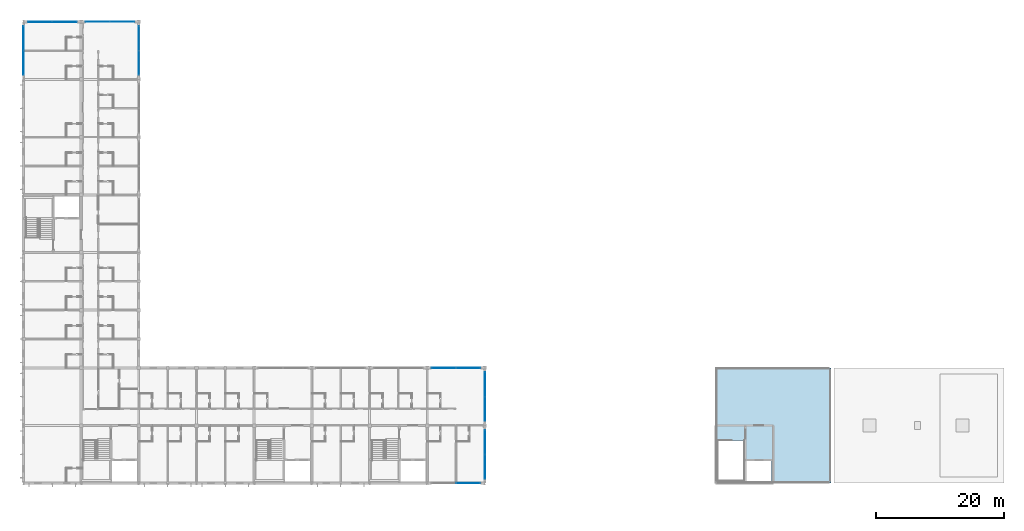
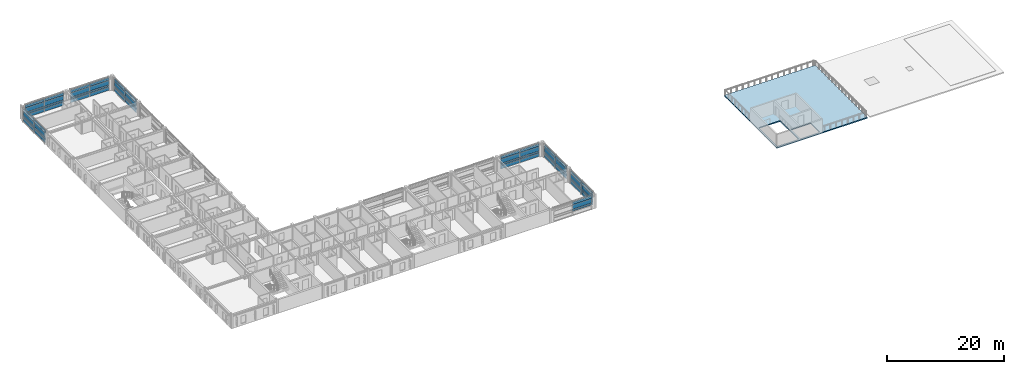
# One storey, part 12 of 30: 59 plates, 1 slab, 8 elements without a shape of their own.
"""IFC4 building model written with IfcOpenShell, lengths in metres."""

from ifc_helpers import new_model, si_unit, direction, frame, origin, origin_2d, place, context, subcontext, project, spatial, polyline, rectangle, outline, extrude, material, layer, layer_set, type_object, element, aggregate, save


model = new_model("IFC4")

# Units and contexts
model_context = context("Model", 3, precision=1e-05, world=origin(), true_north=direction((0.0, 1.0)))
body_context = subcontext(model_context, "Body", "Model", "MODEL_VIEW")
ifc_project = project(units=[si_unit("LENGTHUNIT", "METRE"), si_unit("AREAUNIT", "SQUARE_METRE"), si_unit("VOLUMEUNIT", "CUBIC_METRE"), si_unit("PLANEANGLEUNIT", "RADIAN"), si_unit("MASSUNIT", "GRAM", prefix="KILO")], contexts=[model_context])

# Site, building, storey
site_placement = place(None, origin())
site = spatial("IfcSite", under=ifc_project, at=site_placement, CompositionType="ELEMENT")
building_placement = place(site_placement, origin())
building = spatial("IfcBuilding", under=site, at=building_placement, Name="Palais des Congres Ocreval", CompositionType="ELEMENT")
storey_placement = place(building_placement, frame((0.0, 0.0, 14.56005859375)))
storey = spatial("IfcBuildingStorey", under=building, at=storey_placement, Name="L04", CompositionType="ELEMENT", Elevation=14.56005859375)

# Curtain wall, plates
ifc_material_1 = material(Name="Anodized bronze aluminium and low-E glass", Category="glass")
curtain_wall_type = type_object("IfcCurtainWallType", Name="Unitised Curtain Wall 7900x2820", PredefinedType="USERDEFINED", material=ifc_material_1)
curtain_wall_1_placement = place(storey_placement, origin())
curtain_wall_1 = element("IfcCurtainWall", 1, at=curtain_wall_1_placement, inside=storey, type_object=curtain_wall_type, Name="Unitised Curtain Wall CW04 L04", ObjectType="UNITISED CURTAIN WALL", PredefinedType="USERDEFINED")
ifc_material_2 = material(Name="Acoustic triple glazing", Category="glass")
ifc_layer_1 = layer(ifc_material_2, 0.0439453125)
ifc_layer_set_1 = layer_set([ifc_layer_1], Name="Acoustic Laminated Glazing Panel 44 (Acoustic triple glazing)")
plate_type_1 = type_object("IfcPlateType", Name="Acoustic Laminated Glazing Panel 44", PredefinedType="CURTAIN_PANEL", material=ifc_layer_set_1)
plate_1_placement = place(storey_placement, frame((72.0, 6.407470703125, 0.06005859375), z_axis=(0.0, 0.0, 1.0), x_axis=(0.0, -1.0, 0.0)))
plate_1 = element("IfcPlate", 2, at=plate_1_placement, type_object=plate_type_1, Name="Vision Glazing Panel VP02", PredefinedType="CURTAIN_PANEL", context=body_context, shape_type="SweptSolid", body=[
    extrude(rectangle(XDim=3.7451171875, YDim=0.0439453125, at=origin_2d()), origin(), (0.0, 0.0, 1.0), 0.68994140625),
])
plate_2_placement = place(storey_placement, frame((72.0, 6.407470703125, 0.809814453125), z_axis=(0.0, 0.0, 1.0), x_axis=(0.0, -1.0, 0.0)))
plate_2 = element("IfcPlate", 3, at=plate_2_placement, type_object=plate_type_1, Name="Vision Glazing Panel VP02", PredefinedType="CURTAIN_PANEL", context=body_context, shape_type="SweptSolid", body=[
    extrude(rectangle(XDim=3.7451171875, YDim=0.0439453125, at=origin_2d()), origin(), (0.0, 0.0, 1.0), 0.353515625),
])
plate_3_placement = place(storey_placement, frame((72.0, 6.407470703125, 1.223388671875), z_axis=(0.0, 0.0, 1.0), x_axis=(0.0, -1.0, 0.0)))
plate_3 = element("IfcPlate", 4, at=plate_3_placement, type_object=plate_type_1, Name="Vision Glazing Panel VP02", PredefinedType="CURTAIN_PANEL", context=body_context, shape_type="SweptSolid", body=[
    extrude(rectangle(XDim=3.7451171875, YDim=0.0439453125, at=origin_2d()), origin(), (0.0, 0.0, 1.0), 0.91650390625),
])
plate_4_placement = place(storey_placement, frame((72.0, 2.592529296875, 0.06005859375), z_axis=(0.0, 0.0, 1.0), x_axis=(0.0, -1.0, 0.0)))
plate_4 = element("IfcPlate", 5, at=plate_4_placement, type_object=plate_type_1, Name="Vision Glazing Panel VP02", PredefinedType="CURTAIN_PANEL", context=body_context, shape_type="SweptSolid", body=[
    extrude(rectangle(XDim=3.7451171875, YDim=0.0439453125, at=origin_2d()), origin(), (0.0, 0.0, 1.0), 0.68994140625),
])
plate_5_placement = place(storey_placement, frame((72.0, 2.592529296875, 0.809814453125), z_axis=(0.0, 0.0, 1.0), x_axis=(0.0, -1.0, 0.0)))
plate_5 = element("IfcPlate", 6, at=plate_5_placement, type_object=plate_type_1, Name="Vision Glazing Panel VP02", PredefinedType="CURTAIN_PANEL", context=body_context, shape_type="SweptSolid", body=[
    extrude(rectangle(XDim=3.7451171875, YDim=0.0439453125, at=origin_2d()), origin(), (0.0, 0.0, 1.0), 0.353515625),
])
plate_6_placement = place(storey_placement, frame((72.0, 2.592529296875, 1.223388671875), z_axis=(0.0, 0.0, 1.0), x_axis=(0.0, -1.0, 0.0)))
plate_6 = element("IfcPlate", 7, at=plate_6_placement, type_object=plate_type_1, Name="Vision Glazing Panel VP02", PredefinedType="CURTAIN_PANEL", context=body_context, shape_type="SweptSolid", body=[
    extrude(rectangle(XDim=3.7451171875, YDim=0.0439453125, at=origin_2d()), origin(), (0.0, 0.0, 1.0), 0.91650390625),
])

curtain_wall_2_placement = place(storey_placement, origin())
curtain_wall_2 = element("IfcCurtainWall", 8, at=curtain_wall_2_placement, inside=storey, type_object=curtain_wall_type, Name="Unitised Curtain Wall CW04 L04", ObjectType="UNITISED CURTAIN WALL", PredefinedType="USERDEFINED")
plate_7_placement = place(storey_placement, frame((2.59130859375, 72.0, 0.06005859375), z_axis=(0.0, 0.0, 1.0), x_axis=(1.0, 0.0, 0.0)))
plate_7 = element("IfcPlate", 9, at=plate_7_placement, type_object=plate_type_1, Name="Vision Glazing Panel VP02", PredefinedType="CURTAIN_PANEL", context=body_context, shape_type="SweptSolid", body=[
    extrude(rectangle(XDim=3.75244140625, YDim=0.0439453125, at=origin_2d()), origin(), (0.0, 0.0, 1.0), 0.68994140625),
])
plate_8_placement = place(storey_placement, frame((2.59130859375, 72.0, 0.809814453125), z_axis=(0.0, 0.0, 1.0), x_axis=(1.0, 0.0, 0.0)))
plate_8 = element("IfcPlate", 10, at=plate_8_placement, type_object=plate_type_1, Name="Vision Glazing Panel VP02", PredefinedType="CURTAIN_PANEL", context=body_context, shape_type="SweptSolid", body=[
    extrude(rectangle(XDim=3.75244140625, YDim=0.0439453125, at=origin_2d()), origin(), (0.0, 0.0, 1.0), 0.353515625),
])
plate_9_placement = place(storey_placement, frame((2.59130859375, 72.0, 1.223388671875), z_axis=(0.0, 0.0, 1.0), x_axis=(1.0, 0.0, 0.0)))
plate_9 = element("IfcPlate", 11, at=plate_9_placement, type_object=plate_type_1, Name="Vision Glazing Panel VP02", PredefinedType="CURTAIN_PANEL", context=body_context, shape_type="SweptSolid", body=[
    extrude(rectangle(XDim=3.75244140625, YDim=0.0439453125, at=origin_2d()), origin(), (0.0, 0.0, 1.0), 0.91650390625),
])
plate_10_placement = place(storey_placement, frame((6.40869140625, 72.0, 0.06005859375), z_axis=(0.0, 0.0, 1.0), x_axis=(1.0, 0.0, 0.0)))
plate_10 = element("IfcPlate", 12, at=plate_10_placement, type_object=plate_type_1, Name="Vision Glazing Panel VP02", PredefinedType="CURTAIN_PANEL", context=body_context, shape_type="SweptSolid", body=[
    extrude(rectangle(XDim=3.75244140625, YDim=0.0439453125, at=origin_2d()), origin(), (0.0, 0.0, 1.0), 0.68994140625),
])
plate_11_placement = place(storey_placement, frame((6.40869140625, 72.0, 0.809814453125), z_axis=(0.0, 0.0, 1.0), x_axis=(1.0, 0.0, 0.0)))
plate_11 = element("IfcPlate", 13, at=plate_11_placement, type_object=plate_type_1, Name="Vision Glazing Panel VP02", PredefinedType="CURTAIN_PANEL", context=body_context, shape_type="SweptSolid", body=[
    extrude(rectangle(XDim=3.75244140625, YDim=0.0439453125, at=origin_2d()), origin(), (0.0, 0.0, 1.0), 0.353515625),
])
plate_12_placement = place(storey_placement, frame((6.40869140625, 72.0, 1.223388671875), z_axis=(0.0, 0.0, 1.0), x_axis=(1.0, 0.0, 0.0)))
plate_12 = element("IfcPlate", 14, at=plate_12_placement, type_object=plate_type_1, Name="Vision Glazing Panel VP02", PredefinedType="CURTAIN_PANEL", context=body_context, shape_type="SweptSolid", body=[
    extrude(rectangle(XDim=3.75244140625, YDim=0.0439453125, at=origin_2d()), origin(), (0.0, 0.0, 1.0), 0.91650390625),
])

curtain_wall_3_placement = place(storey_placement, origin())
curtain_wall_3 = element("IfcCurtainWall", 15, at=curtain_wall_3_placement, inside=storey, type_object=curtain_wall_type, Name="Unitised Curtain Wall CW04 L04", ObjectType="UNITISED CURTAIN WALL", PredefinedType="USERDEFINED")
plate_13_placement = place(storey_placement, frame((65.592529296875, 18.0, 0.06005859375), z_axis=(0.0, 0.0, 1.0), x_axis=(1.0, 0.0, 0.0)))
plate_13 = element("IfcPlate", 16, at=plate_13_placement, type_object=plate_type_1, Name="Vision Glazing Panel VP02", PredefinedType="CURTAIN_PANEL", context=body_context, shape_type="SweptSolid", body=[
    extrude(rectangle(XDim=3.7451171875, YDim=0.0439453125, at=origin_2d()), origin(), (0.0, 0.0, 1.0), 0.68994140625),
])
plate_14_placement = place(storey_placement, frame((65.592529296875, 18.0, 0.809814453125), z_axis=(0.0, 0.0, 1.0), x_axis=(1.0, 0.0, 0.0)))
plate_14 = element("IfcPlate", 17, at=plate_14_placement, type_object=plate_type_1, Name="Vision Glazing Panel VP02", PredefinedType="CURTAIN_PANEL", context=body_context, shape_type="SweptSolid", body=[
    extrude(rectangle(XDim=3.7451171875, YDim=0.0439453125, at=origin_2d()), origin(), (0.0, 0.0, 1.0), 0.353515625),
])
plate_15_placement = place(storey_placement, frame((65.592529296875, 18.0, 1.223388671875), z_axis=(0.0, 0.0, 1.0), x_axis=(1.0, 0.0, 0.0)))
plate_15 = element("IfcPlate", 18, at=plate_15_placement, type_object=plate_type_1, Name="Vision Glazing Panel VP02", PredefinedType="CURTAIN_PANEL", context=body_context, shape_type="SweptSolid", body=[
    extrude(rectangle(XDim=3.7451171875, YDim=0.0439453125, at=origin_2d()), origin(), (0.0, 0.0, 1.0), 0.91650390625),
])
plate_16_placement = place(storey_placement, frame((69.407470703125, 18.0, 0.06005859375), z_axis=(0.0, 0.0, 1.0), x_axis=(1.0, 0.0, 0.0)))
plate_16 = element("IfcPlate", 19, at=plate_16_placement, type_object=plate_type_1, Name="Vision Glazing Panel VP02", PredefinedType="CURTAIN_PANEL", context=body_context, shape_type="SweptSolid", body=[
    extrude(rectangle(XDim=3.7451171875, YDim=0.0439453125, at=origin_2d()), origin(), (0.0, 0.0, 1.0), 0.68994140625),
])
plate_17_placement = place(storey_placement, frame((69.407470703125, 18.0, 0.809814453125), z_axis=(0.0, 0.0, 1.0), x_axis=(1.0, 0.0, 0.0)))
plate_17 = element("IfcPlate", 20, at=plate_17_placement, type_object=plate_type_1, Name="Vision Glazing Panel VP02", PredefinedType="CURTAIN_PANEL", context=body_context, shape_type="SweptSolid", body=[
    extrude(rectangle(XDim=3.7451171875, YDim=0.0439453125, at=origin_2d()), origin(), (0.0, 0.0, 1.0), 0.353515625),
])
plate_18_placement = place(storey_placement, frame((69.407470703125, 18.0, 1.223388671875), z_axis=(0.0, 0.0, 1.0), x_axis=(1.0, 0.0, 0.0)))
plate_18 = element("IfcPlate", 21, at=plate_18_placement, type_object=plate_type_1, Name="Vision Glazing Panel VP02", PredefinedType="CURTAIN_PANEL", context=body_context, shape_type="SweptSolid", body=[
    extrude(rectangle(XDim=3.7451171875, YDim=0.0439453125, at=origin_2d()), origin(), (0.0, 0.0, 1.0), 0.91650390625),
])

# Plate
ifc_material_3 = material(Name="Anodized bronze aluminium", Category="aluminium")
ifc_layer_2 = layer(ifc_material_3, 0.06005859375)
ifc_layer_set_2 = layer_set([ifc_layer_2], Name="Anodized Bronze Spandrel Cassette 60 (Anodized bronze aluminium)")
plate_type_2 = type_object("IfcPlateType", Name="Anodized Bronze Spandrel Cassette 60", PredefinedType="SHEET", material=ifc_layer_set_2)
plate_19_placement = place(storey_placement, frame((72.0, 6.407470703125, 2.199951171875), z_axis=(0.0, 0.0, 1.0), x_axis=(0.0, -1.0, 0.0)))
plate_19 = element("IfcPlate", 22, at=plate_19_placement, type_object=plate_type_2, Name="Spandrel Sheet SPN1", PredefinedType="SHEET", context=body_context, shape_type="SweptSolid", body=[
    extrude(rectangle(XDim=3.7451171875, YDim=0.06005859375, at=origin_2d()), origin(), (0.0, 0.0, 1.0), 0.56005859375),
])

plate_20_placement = place(storey_placement, frame((72.0, 2.592529296875, 2.199951171875), z_axis=(0.0, 0.0, 1.0), x_axis=(0.0, -1.0, 0.0)))
plate_20 = element("IfcPlate", 23, at=plate_20_placement, type_object=plate_type_2, Name="Spandrel Sheet SPN1", PredefinedType="SHEET", context=body_context, shape_type="SweptSolid", body=[
    extrude(rectangle(XDim=3.7451171875, YDim=0.06005859375, at=origin_2d()), origin(), (0.0, 0.0, 1.0), 0.56005859375),
])

aggregate(curtain_wall_1, [plate_1, plate_2, plate_3, plate_19, plate_4, plate_5, plate_6, plate_20])

# Curtain wall, plates
curtain_wall_4_placement = place(storey_placement, origin())
curtain_wall_4 = element("IfcCurtainWall", 24, at=curtain_wall_4_placement, inside=storey, type_object=curtain_wall_type, Name="Unitised Curtain Wall CW04 L04", ObjectType="UNITISED CURTAIN WALL", PredefinedType="USERDEFINED")
plate_21_placement = place(storey_placement, frame((0.0, 65.592529296875, 2.199951171875), z_axis=(0.0, 0.0, 1.0), x_axis=(0.0, 1.0, 0.0)))
plate_21 = element("IfcPlate", 25, at=plate_21_placement, type_object=plate_type_2, Name="Spandrel Sheet SPN1", PredefinedType="SHEET", context=body_context, shape_type="SweptSolid", body=[
    extrude(rectangle(XDim=3.7451171875, YDim=0.06005859375, at=origin_2d()), origin(), (0.0, 0.0, 1.0), 0.56005859375),
])
plate_22_placement = place(storey_placement, frame((0.0, 69.407470703125, 2.199951171875), z_axis=(0.0, 0.0, 1.0), x_axis=(0.0, 1.0, 0.0)))
plate_22 = element("IfcPlate", 26, at=plate_22_placement, type_object=plate_type_2, Name="Spandrel Sheet SPN1", PredefinedType="SHEET", context=body_context, shape_type="SweptSolid", body=[
    extrude(rectangle(XDim=3.7451171875, YDim=0.06005859375, at=origin_2d()), origin(), (0.0, 0.0, 1.0), 0.56005859375),
])

curtain_wall_5_placement = place(storey_placement, origin())
curtain_wall_5 = element("IfcCurtainWall", 27, at=curtain_wall_5_placement, inside=storey, type_object=curtain_wall_type, Name="Unitised Curtain Wall CW04 L04", ObjectType="UNITISED CURTAIN WALL", PredefinedType="USERDEFINED")
plate_23_placement = place(storey_placement, frame((11.592529296875, 72.0, 2.199951171875), z_axis=(0.0, 0.0, 1.0), x_axis=(1.0, 0.0, 0.0)))
plate_23 = element("IfcPlate", 28, at=plate_23_placement, type_object=plate_type_2, Name="Spandrel Sheet SPN1", PredefinedType="SHEET", context=body_context, shape_type="SweptSolid", body=[
    extrude(rectangle(XDim=3.7451171875, YDim=0.06005859375, at=origin_2d()), origin(), (0.0, 0.0, 1.0), 0.56005859375),
])
plate_24_placement = place(storey_placement, frame((15.407470703125, 72.0, 2.199951171875), z_axis=(0.0, 0.0, 1.0), x_axis=(1.0, 0.0, 0.0)))
plate_24 = element("IfcPlate", 29, at=plate_24_placement, type_object=plate_type_2, Name="Spandrel Sheet SPN1", PredefinedType="SHEET", context=body_context, shape_type="SweptSolid", body=[
    extrude(rectangle(XDim=3.7451171875, YDim=0.06005859375, at=origin_2d()), origin(), (0.0, 0.0, 1.0), 0.56005859375),
])

# Plate
plate_25_placement = place(storey_placement, frame((65.592529296875, 18.0, 2.199951171875), z_axis=(0.0, 0.0, 1.0), x_axis=(1.0, 0.0, 0.0)))
plate_25 = element("IfcPlate", 30, at=plate_25_placement, type_object=plate_type_2, Name="Spandrel Sheet SPN1", PredefinedType="SHEET", context=body_context, shape_type="SweptSolid", body=[
    extrude(rectangle(XDim=3.7451171875, YDim=0.06005859375, at=origin_2d()), origin(), (0.0, 0.0, 1.0), 0.56005859375),
])

plate_26_placement = place(storey_placement, frame((69.407470703125, 18.0, 2.199951171875), z_axis=(0.0, 0.0, 1.0), x_axis=(1.0, 0.0, 0.0)))
plate_26 = element("IfcPlate", 31, at=plate_26_placement, type_object=plate_type_2, Name="Spandrel Sheet SPN1", PredefinedType="SHEET", context=body_context, shape_type="SweptSolid", body=[
    extrude(rectangle(XDim=3.7451171875, YDim=0.06005859375, at=origin_2d()), origin(), (0.0, 0.0, 1.0), 0.56005859375),
])

aggregate(curtain_wall_3, [plate_13, plate_14, plate_15, plate_25, plate_16, plate_17, plate_18, plate_26])

# Curtain wall, plates
curtain_wall_6_placement = place(storey_placement, origin())
curtain_wall_6 = element("IfcCurtainWall", 32, at=curtain_wall_6_placement, inside=storey, type_object=curtain_wall_type, Name="Unitised Curtain Wall CW04 L04", ObjectType="UNITISED CURTAIN WALL", PredefinedType="USERDEFINED")
ifc_material_4 = material(Name="Low-E solar-control double glazing", Category="glass")
ifc_layer_3 = layer(ifc_material_4, 0.031982421875)
ifc_layer_set_3 = layer_set([ifc_layer_3], Name="Galleria Clear Vision Panel 32 (Low-E solar-control double glazing)")
plate_type_3 = type_object("IfcPlateType", Name="Galleria Clear Vision Panel 32", PredefinedType="CURTAIN_PANEL", material=ifc_layer_set_3)
plate_27_placement = place(storey_placement, frame((69.40869140625, 0.0, 0.809814453125), z_axis=(0.0, 0.0, 1.0), x_axis=(-1.0, 0.0, 0.0)))
plate_27 = element("IfcPlate", 33, at=plate_27_placement, type_object=plate_type_3, Name="Vision Glazing Panel VP03", PredefinedType="CURTAIN_PANEL", context=body_context, shape_type="SweptSolid", body=[
    extrude(rectangle(XDim=3.75244140625, YDim=0.031982421875, at=origin_2d()), origin(), (0.0, 0.0, 1.0), 0.353515625),
])
plate_28_placement = place(storey_placement, frame((69.40869140625, 0.0, 1.223388671875), z_axis=(0.0, 0.0, 1.0), x_axis=(-1.0, 0.0, 0.0)))
plate_28 = element("IfcPlate", 34, at=plate_28_placement, type_object=plate_type_3, Name="Vision Glazing Panel VP03", PredefinedType="CURTAIN_PANEL", context=body_context, shape_type="SweptSolid", body=[
    extrude(rectangle(XDim=3.75244140625, YDim=0.031982421875, at=origin_2d()), origin(), (0.0, 0.0, 1.0), 0.91650390625),
])

# Plate
plate_29_placement = place(storey_placement, frame((11.592529296875, 72.0, 0.06005859375), z_axis=(0.0, 0.0, 1.0), x_axis=(1.0, 0.0, 0.0)))
plate_29 = element("IfcPlate", 35, at=plate_29_placement, type_object=plate_type_3, Name="Vision Glazing Panel VP03", PredefinedType="CURTAIN_PANEL", context=body_context, shape_type="SweptSolid", body=[
    extrude(rectangle(XDim=3.7451171875, YDim=0.031982421875, at=origin_2d()), origin(), (0.0, 0.0, 1.0), 0.68994140625),
])

plate_30_placement = place(storey_placement, frame((11.592529296875, 72.0, 0.809814453125), z_axis=(0.0, 0.0, 1.0), x_axis=(1.0, 0.0, 0.0)))
plate_30 = element("IfcPlate", 36, at=plate_30_placement, type_object=plate_type_3, Name="Vision Glazing Panel VP03", PredefinedType="CURTAIN_PANEL", context=body_context, shape_type="SweptSolid", body=[
    extrude(rectangle(XDim=3.7451171875, YDim=0.031982421875, at=origin_2d()), origin(), (0.0, 0.0, 1.0), 0.353515625),
])

plate_31_placement = place(storey_placement, frame((11.592529296875, 72.0, 1.223388671875), z_axis=(0.0, 0.0, 1.0), x_axis=(1.0, 0.0, 0.0)))
plate_31 = element("IfcPlate", 37, at=plate_31_placement, type_object=plate_type_3, Name="Vision Glazing Panel VP03", PredefinedType="CURTAIN_PANEL", context=body_context, shape_type="SweptSolid", body=[
    extrude(rectangle(XDim=3.7451171875, YDim=0.031982421875, at=origin_2d()), origin(), (0.0, 0.0, 1.0), 0.91650390625),
])

plate_32_placement = place(storey_placement, frame((15.407470703125, 72.0, 0.06005859375), z_axis=(0.0, 0.0, 1.0), x_axis=(1.0, 0.0, 0.0)))
plate_32 = element("IfcPlate", 38, at=plate_32_placement, type_object=plate_type_3, Name="Vision Glazing Panel VP03", PredefinedType="CURTAIN_PANEL", context=body_context, shape_type="SweptSolid", body=[
    extrude(rectangle(XDim=3.7451171875, YDim=0.031982421875, at=origin_2d()), origin(), (0.0, 0.0, 1.0), 0.68994140625),
])

plate_33_placement = place(storey_placement, frame((15.407470703125, 72.0, 0.809814453125), z_axis=(0.0, 0.0, 1.0), x_axis=(1.0, 0.0, 0.0)))
plate_33 = element("IfcPlate", 39, at=plate_33_placement, type_object=plate_type_3, Name="Vision Glazing Panel VP03", PredefinedType="CURTAIN_PANEL", context=body_context, shape_type="SweptSolid", body=[
    extrude(rectangle(XDim=3.7451171875, YDim=0.031982421875, at=origin_2d()), origin(), (0.0, 0.0, 1.0), 0.353515625),
])

plate_34_placement = place(storey_placement, frame((15.407470703125, 72.0, 1.223388671875), z_axis=(0.0, 0.0, 1.0), x_axis=(1.0, 0.0, 0.0)))
plate_34 = element("IfcPlate", 40, at=plate_34_placement, type_object=plate_type_3, Name="Vision Glazing Panel VP03", PredefinedType="CURTAIN_PANEL", context=body_context, shape_type="SweptSolid", body=[
    extrude(rectangle(XDim=3.7451171875, YDim=0.031982421875, at=origin_2d()), origin(), (0.0, 0.0, 1.0), 0.91650390625),
])

aggregate(curtain_wall_5, [plate_29, plate_30, plate_31, plate_23, plate_32, plate_33, plate_34, plate_24])

# Curtain wall, plates
curtain_wall_7_placement = place(storey_placement, origin())
curtain_wall_7 = element("IfcCurtainWall", 41, at=curtain_wall_7_placement, inside=storey, type_object=curtain_wall_type, Name="Unitised Curtain Wall CW04 L04", ObjectType="UNITISED CURTAIN WALL", PredefinedType="USERDEFINED")
ifc_layer_4 = layer(ifc_material_4, 0.035888671875)
ifc_layer_set_4 = layer_set([ifc_layer_4], Name="Low-E Vision Glazing Panel 36 (Low-E solar-control double glazing)")
plate_type_4 = type_object("IfcPlateType", Name="Low-E Vision Glazing Panel 36", PredefinedType="CURTAIN_PANEL", material=ifc_layer_set_4)
plate_35_placement = place(storey_placement, frame((72.0, 15.40869140625, 0.06005859375), z_axis=(0.0, 0.0, 1.0), x_axis=(0.0, -1.0, 0.0)))
plate_35 = element("IfcPlate", 42, at=plate_35_placement, type_object=plate_type_4, Name="Vision Glazing Panel VP01", PredefinedType="CURTAIN_PANEL", context=body_context, shape_type="SweptSolid", body=[
    extrude(rectangle(XDim=3.75244140625, YDim=0.035888671875, at=origin_2d()), origin(), (0.0, 0.0, 1.0), 0.68994140625),
])
plate_36_placement = place(storey_placement, frame((72.0, 15.40869140625, 0.809814453125), z_axis=(0.0, 0.0, 1.0), x_axis=(0.0, -1.0, 0.0)))
plate_36 = element("IfcPlate", 43, at=plate_36_placement, type_object=plate_type_4, Name="Vision Glazing Panel VP01", PredefinedType="CURTAIN_PANEL", context=body_context, shape_type="SweptSolid", body=[
    extrude(rectangle(XDim=3.75244140625, YDim=0.035888671875, at=origin_2d()), origin(), (0.0, 0.0, 1.0), 0.353515625),
])
plate_37_placement = place(storey_placement, frame((72.0, 15.40869140625, 1.223388671875), z_axis=(0.0, 0.0, 1.0), x_axis=(0.0, -1.0, 0.0)))
plate_37 = element("IfcPlate", 44, at=plate_37_placement, type_object=plate_type_4, Name="Vision Glazing Panel VP01", PredefinedType="CURTAIN_PANEL", context=body_context, shape_type="SweptSolid", body=[
    extrude(rectangle(XDim=3.75244140625, YDim=0.035888671875, at=origin_2d()), origin(), (0.0, 0.0, 1.0), 0.91650390625),
])
plate_38_placement = place(storey_placement, frame((72.0, 11.59130859375, 0.06005859375), z_axis=(0.0, 0.0, 1.0), x_axis=(0.0, -1.0, 0.0)))
plate_38 = element("IfcPlate", 45, at=plate_38_placement, type_object=plate_type_4, Name="Vision Glazing Panel VP01", PredefinedType="CURTAIN_PANEL", context=body_context, shape_type="SweptSolid", body=[
    extrude(rectangle(XDim=3.75244140625, YDim=0.035888671875, at=origin_2d()), origin(), (0.0, 0.0, 1.0), 0.68994140625),
])
plate_39_placement = place(storey_placement, frame((72.0, 11.59130859375, 0.809814453125), z_axis=(0.0, 0.0, 1.0), x_axis=(0.0, -1.0, 0.0)))
plate_39 = element("IfcPlate", 46, at=plate_39_placement, type_object=plate_type_4, Name="Vision Glazing Panel VP01", PredefinedType="CURTAIN_PANEL", context=body_context, shape_type="SweptSolid", body=[
    extrude(rectangle(XDim=3.75244140625, YDim=0.035888671875, at=origin_2d()), origin(), (0.0, 0.0, 1.0), 0.353515625),
])
plate_40_placement = place(storey_placement, frame((72.0, 11.59130859375, 1.223388671875), z_axis=(0.0, 0.0, 1.0), x_axis=(0.0, -1.0, 0.0)))
plate_40 = element("IfcPlate", 47, at=plate_40_placement, type_object=plate_type_4, Name="Vision Glazing Panel VP01", PredefinedType="CURTAIN_PANEL", context=body_context, shape_type="SweptSolid", body=[
    extrude(rectangle(XDim=3.75244140625, YDim=0.035888671875, at=origin_2d()), origin(), (0.0, 0.0, 1.0), 0.91650390625),
])

# Plate
plate_41_placement = place(storey_placement, frame((0.0, 65.592529296875, 0.06005859375), z_axis=(0.0, 0.0, 1.0), x_axis=(0.0, 1.0, 0.0)))
plate_41 = element("IfcPlate", 48, at=plate_41_placement, type_object=plate_type_4, Name="Vision Glazing Panel VP01", PredefinedType="CURTAIN_PANEL", context=body_context, shape_type="SweptSolid", body=[
    extrude(rectangle(XDim=3.7451171875, YDim=0.035888671875, at=origin_2d()), origin(), (0.0, 0.0, 1.0), 0.68994140625),
])

plate_42_placement = place(storey_placement, frame((0.0, 65.592529296875, 0.809814453125), z_axis=(0.0, 0.0, 1.0), x_axis=(0.0, 1.0, 0.0)))
plate_42 = element("IfcPlate", 49, at=plate_42_placement, type_object=plate_type_4, Name="Vision Glazing Panel VP01", PredefinedType="CURTAIN_PANEL", context=body_context, shape_type="SweptSolid", body=[
    extrude(rectangle(XDim=3.7451171875, YDim=0.035888671875, at=origin_2d()), origin(), (0.0, 0.0, 1.0), 0.353515625),
])

plate_43_placement = place(storey_placement, frame((0.0, 65.592529296875, 1.223388671875), z_axis=(0.0, 0.0, 1.0), x_axis=(0.0, 1.0, 0.0)))
plate_43 = element("IfcPlate", 50, at=plate_43_placement, type_object=plate_type_4, Name="Vision Glazing Panel VP01", PredefinedType="CURTAIN_PANEL", context=body_context, shape_type="SweptSolid", body=[
    extrude(rectangle(XDim=3.7451171875, YDim=0.035888671875, at=origin_2d()), origin(), (0.0, 0.0, 1.0), 0.91650390625),
])

plate_44_placement = place(storey_placement, frame((0.0, 69.407470703125, 0.06005859375), z_axis=(0.0, 0.0, 1.0), x_axis=(0.0, 1.0, 0.0)))
plate_44 = element("IfcPlate", 51, at=plate_44_placement, type_object=plate_type_4, Name="Vision Glazing Panel VP01", PredefinedType="CURTAIN_PANEL", context=body_context, shape_type="SweptSolid", body=[
    extrude(rectangle(XDim=3.7451171875, YDim=0.035888671875, at=origin_2d()), origin(), (0.0, 0.0, 1.0), 0.68994140625),
])

plate_45_placement = place(storey_placement, frame((0.0, 69.407470703125, 0.809814453125), z_axis=(0.0, 0.0, 1.0), x_axis=(0.0, 1.0, 0.0)))
plate_45 = element("IfcPlate", 52, at=plate_45_placement, type_object=plate_type_4, Name="Vision Glazing Panel VP01", PredefinedType="CURTAIN_PANEL", context=body_context, shape_type="SweptSolid", body=[
    extrude(rectangle(XDim=3.7451171875, YDim=0.035888671875, at=origin_2d()), origin(), (0.0, 0.0, 1.0), 0.353515625),
])

plate_46_placement = place(storey_placement, frame((0.0, 69.407470703125, 1.223388671875), z_axis=(0.0, 0.0, 1.0), x_axis=(0.0, 1.0, 0.0)))
plate_46 = element("IfcPlate", 53, at=plate_46_placement, type_object=plate_type_4, Name="Vision Glazing Panel VP01", PredefinedType="CURTAIN_PANEL", context=body_context, shape_type="SweptSolid", body=[
    extrude(rectangle(XDim=3.7451171875, YDim=0.035888671875, at=origin_2d()), origin(), (0.0, 0.0, 1.0), 0.91650390625),
])

aggregate(curtain_wall_4, [plate_41, plate_42, plate_43, plate_21, plate_44, plate_45, plate_46, plate_22])

# Curtain wall, plates
curtain_wall_8_placement = place(storey_placement, origin())
curtain_wall_8 = element("IfcCurtainWall", 54, at=curtain_wall_8_placement, inside=storey, type_object=curtain_wall_type, Name="Unitised Curtain Wall CW04 L04", ObjectType="UNITISED CURTAIN WALL", PredefinedType="USERDEFINED")
plate_47_placement = place(storey_placement, frame((18.0, 69.40869140625, 0.06005859375), z_axis=(0.0, 0.0, 1.0), x_axis=(0.0, -1.0, 0.0)))
plate_47 = element("IfcPlate", 55, at=plate_47_placement, type_object=plate_type_4, Name="Vision Glazing Panel VP01", PredefinedType="CURTAIN_PANEL", context=body_context, shape_type="SweptSolid", body=[
    extrude(rectangle(XDim=3.75244140625, YDim=0.035888671875, at=origin_2d()), origin(), (0.0, 0.0, 1.0), 0.68994140625),
])
plate_48_placement = place(storey_placement, frame((18.0, 69.40869140625, 0.809814453125), z_axis=(0.0, 0.0, 1.0), x_axis=(0.0, -1.0, 0.0)))
plate_48 = element("IfcPlate", 56, at=plate_48_placement, type_object=plate_type_4, Name="Vision Glazing Panel VP01", PredefinedType="CURTAIN_PANEL", context=body_context, shape_type="SweptSolid", body=[
    extrude(rectangle(XDim=3.75244140625, YDim=0.035888671875, at=origin_2d()), origin(), (0.0, 0.0, 1.0), 0.353515625),
])
plate_49_placement = place(storey_placement, frame((18.0, 69.40869140625, 1.223388671875), z_axis=(0.0, 0.0, 1.0), x_axis=(0.0, -1.0, 0.0)))
plate_49 = element("IfcPlate", 57, at=plate_49_placement, type_object=plate_type_4, Name="Vision Glazing Panel VP01", PredefinedType="CURTAIN_PANEL", context=body_context, shape_type="SweptSolid", body=[
    extrude(rectangle(XDim=3.75244140625, YDim=0.035888671875, at=origin_2d()), origin(), (0.0, 0.0, 1.0), 0.91650390625),
])
plate_50_placement = place(storey_placement, frame((18.0, 65.59130859375, 0.06005859375), z_axis=(0.0, 0.0, 1.0), x_axis=(0.0, -1.0, 0.0)))
plate_50 = element("IfcPlate", 58, at=plate_50_placement, type_object=plate_type_4, Name="Vision Glazing Panel VP01", PredefinedType="CURTAIN_PANEL", context=body_context, shape_type="SweptSolid", body=[
    extrude(rectangle(XDim=3.75244140625, YDim=0.035888671875, at=origin_2d()), origin(), (0.0, 0.0, 1.0), 0.68994140625),
])
plate_51_placement = place(storey_placement, frame((18.0, 65.59130859375, 0.809814453125), z_axis=(0.0, 0.0, 1.0), x_axis=(0.0, -1.0, 0.0)))
plate_51 = element("IfcPlate", 59, at=plate_51_placement, type_object=plate_type_4, Name="Vision Glazing Panel VP01", PredefinedType="CURTAIN_PANEL", context=body_context, shape_type="SweptSolid", body=[
    extrude(rectangle(XDim=3.75244140625, YDim=0.035888671875, at=origin_2d()), origin(), (0.0, 0.0, 1.0), 0.353515625),
])
plate_52_placement = place(storey_placement, frame((18.0, 65.59130859375, 1.223388671875), z_axis=(0.0, 0.0, 1.0), x_axis=(0.0, -1.0, 0.0)))
plate_52 = element("IfcPlate", 60, at=plate_52_placement, type_object=plate_type_4, Name="Vision Glazing Panel VP01", PredefinedType="CURTAIN_PANEL", context=body_context, shape_type="SweptSolid", body=[
    extrude(rectangle(XDim=3.75244140625, YDim=0.035888671875, at=origin_2d()), origin(), (0.0, 0.0, 1.0), 0.91650390625),
])

# Slab
ifc_material_5 = material(Name="Concrete C40/50", Category="concrete")
ifc_layer_5 = layer(ifc_material_5, 0.219970703125)
ifc_layer_set_5 = layer_set([ifc_layer_5], Name="Post-Tensioned Hotel Slab 220 Concrete C40/50")
slab_type = type_object("IfcSlabType", Name="Post-Tensioned Hotel Slab 220 Concrete C40/50", PredefinedType="FLOOR", material=ifc_layer_set_5)
slab_placement = place(storey_placement, frame((0.0, 0.0, -0.219970703125)))
element("IfcSlab", 61, at=slab_placement, inside=storey, type_object=slab_type, Name="Commission Garden Belvedere Terrace", PredefinedType="FLOOR", context=body_context, shape_type="SweptSolid", body=[
    extrude(outline(polyline([(108.0, 0.0), (108.0, 18.0), (126.0, 18.0), (126.0, 0.0), (108.0, 0.0)]), holes=[polyline([(116.699951171875, 3.449951171875), (112.800048828125, 3.449951171875), (112.800048828125, 0.300048828125), (116.699951171875, 0.300048828125), (116.699951171875, 3.449951171875)]), polyline([(108.300048828125, 6.64990234375), (108.300048828125, 0.300048828125), (112.5, 0.300048828125), (112.5, 6.64990234375), (108.300048828125, 6.64990234375)])]), origin(), (0.0, 0.0, 1.0), 0.219970703125),
])

# Plate
ifc_material_6 = material(Name="Terracotta ceramic spandrel", Category="masonry")
ifc_layer_6 = layer(ifc_material_6, 0.080078125)
ifc_layer_set_6 = layer_set([ifc_layer_6], Name="Terracotta Insulated Spandrel Sheet 80 (Terracotta ceramic spandrel)")
plate_type_5 = type_object("IfcPlateType", Name="Terracotta Insulated Spandrel Sheet 80", PredefinedType="SHEET", material=ifc_layer_set_6)
plate_53_placement = place(storey_placement, frame((72.0, 15.40869140625, 2.199951171875), z_axis=(0.0, 0.0, 1.0), x_axis=(0.0, -1.0, 0.0)))
plate_53 = element("IfcPlate", 62, at=plate_53_placement, type_object=plate_type_5, Name="Spandrel Sheet SPN2", PredefinedType="SHEET", context=body_context, shape_type="SweptSolid", body=[
    extrude(rectangle(XDim=3.75244140625, YDim=0.080078125, at=origin_2d()), origin(), (0.0, 0.0, 1.0), 0.56005859375),
])

plate_54_placement = place(storey_placement, frame((72.0, 11.59130859375, 2.199951171875), z_axis=(0.0, 0.0, 1.0), x_axis=(0.0, -1.0, 0.0)))
plate_54 = element("IfcPlate", 63, at=plate_54_placement, type_object=plate_type_5, Name="Spandrel Sheet SPN2", PredefinedType="SHEET", context=body_context, shape_type="SweptSolid", body=[
    extrude(rectangle(XDim=3.75244140625, YDim=0.080078125, at=origin_2d()), origin(), (0.0, 0.0, 1.0), 0.56005859375),
])

aggregate(curtain_wall_7, [plate_35, plate_36, plate_37, plate_53, plate_38, plate_39, plate_40, plate_54])

plate_55_placement = place(storey_placement, frame((69.40869140625, 0.0, 2.199951171875), z_axis=(0.0, 0.0, 1.0), x_axis=(-1.0, 0.0, 0.0)))
plate_55 = element("IfcPlate", 64, at=plate_55_placement, type_object=plate_type_5, Name="Spandrel Sheet SPN2", PredefinedType="SHEET", context=body_context, shape_type="SweptSolid", body=[
    extrude(rectangle(XDim=3.75244140625, YDim=0.080078125, at=origin_2d()), origin(), (0.0, 0.0, 1.0), 0.56005859375),
])

aggregate(curtain_wall_6, [plate_27, plate_28, plate_55])

plate_56_placement = place(storey_placement, frame((2.59130859375, 72.0, 2.199951171875), z_axis=(0.0, 0.0, 1.0), x_axis=(1.0, 0.0, 0.0)))
plate_56 = element("IfcPlate", 65, at=plate_56_placement, type_object=plate_type_5, Name="Spandrel Sheet SPN2", PredefinedType="SHEET", context=body_context, shape_type="SweptSolid", body=[
    extrude(rectangle(XDim=3.75244140625, YDim=0.080078125, at=origin_2d()), origin(), (0.0, 0.0, 1.0), 0.56005859375),
])

plate_57_placement = place(storey_placement, frame((6.40869140625, 72.0, 2.199951171875), z_axis=(0.0, 0.0, 1.0), x_axis=(1.0, 0.0, 0.0)))
plate_57 = element("IfcPlate", 66, at=plate_57_placement, type_object=plate_type_5, Name="Spandrel Sheet SPN2", PredefinedType="SHEET", context=body_context, shape_type="SweptSolid", body=[
    extrude(rectangle(XDim=3.75244140625, YDim=0.080078125, at=origin_2d()), origin(), (0.0, 0.0, 1.0), 0.56005859375),
])

aggregate(curtain_wall_2, [plate_7, plate_8, plate_9, plate_56, plate_10, plate_11, plate_12, plate_57])

plate_58_placement = place(storey_placement, frame((18.0, 69.40869140625, 2.199951171875), z_axis=(0.0, 0.0, 1.0), x_axis=(0.0, -1.0, 0.0)))
plate_58 = element("IfcPlate", 67, at=plate_58_placement, type_object=plate_type_5, Name="Spandrel Sheet SPN2", PredefinedType="SHEET", context=body_context, shape_type="SweptSolid", body=[
    extrude(rectangle(XDim=3.75244140625, YDim=0.080078125, at=origin_2d()), origin(), (0.0, 0.0, 1.0), 0.56005859375),
])

plate_59_placement = place(storey_placement, frame((18.0, 65.59130859375, 2.199951171875), z_axis=(0.0, 0.0, 1.0), x_axis=(0.0, -1.0, 0.0)))
plate_59 = element("IfcPlate", 68, at=plate_59_placement, type_object=plate_type_5, Name="Spandrel Sheet SPN2", PredefinedType="SHEET", context=body_context, shape_type="SweptSolid", body=[
    extrude(rectangle(XDim=3.75244140625, YDim=0.080078125, at=origin_2d()), origin(), (0.0, 0.0, 1.0), 0.56005859375),
])

aggregate(curtain_wall_8, [plate_47, plate_48, plate_49, plate_58, plate_50, plate_51, plate_52, plate_59])

save(model, "model.ifc")
